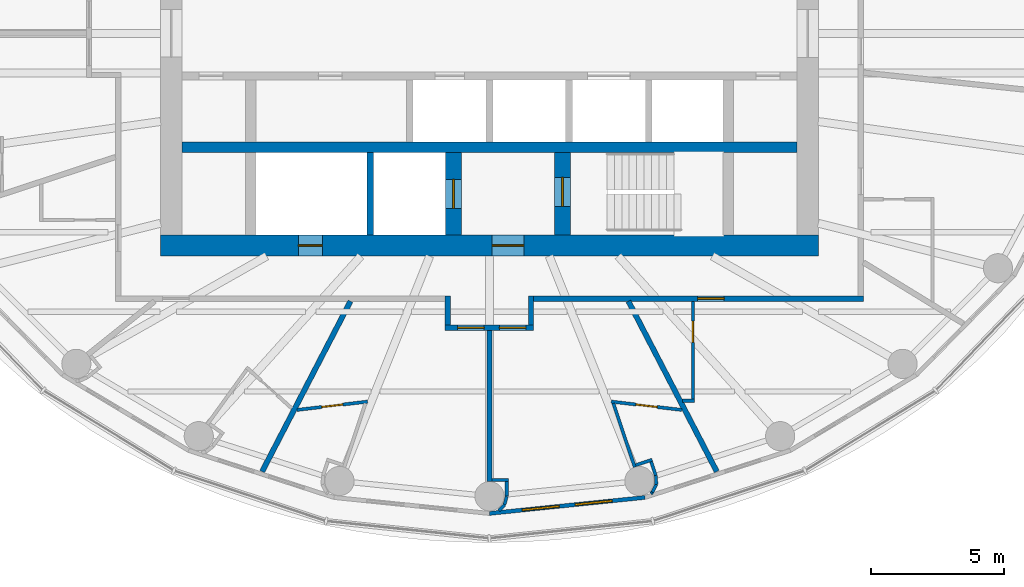
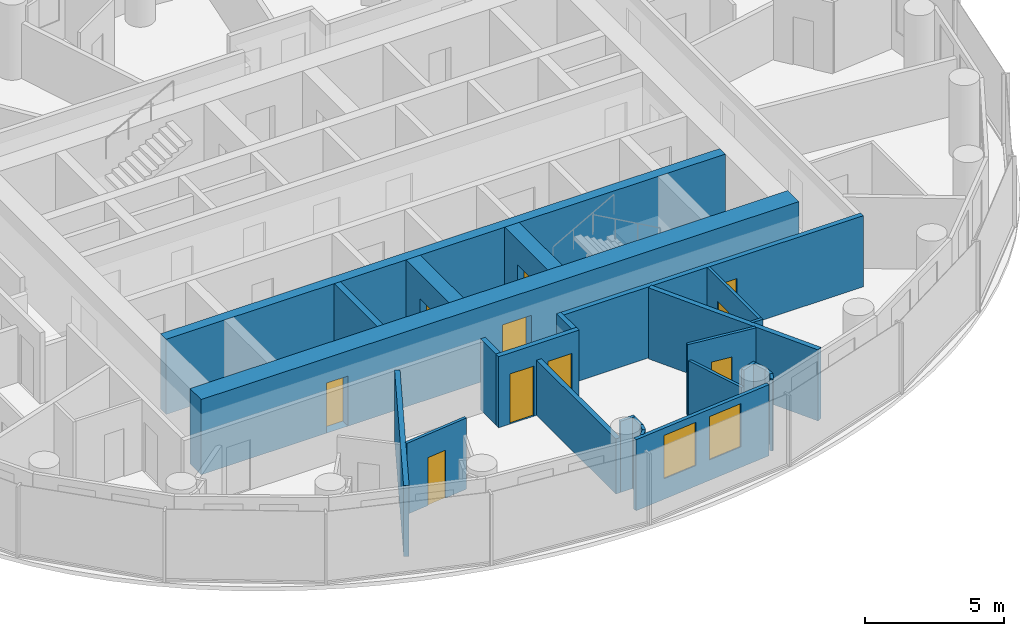
# One storey, part 7 of 13: 27 walls, 10 doors, 2 windows, 12 openings.
"""IFC4 building model written with IfcOpenShell, lengths in metres."""

from ifc_helpers import new_model, si_unit, direction, frame, frame_2d, origin, place, context, subcontext, project, spatial, rectangle, extrude, material, layer, layer_set, type_object, element, fill, save


model = new_model("IFC4")

# Units and contexts
model_context = context("Model", 3, precision=1e-05, world=origin(), true_north=direction((0.0, 1.0)))
body_context = subcontext(model_context, "Body", "Model", "MODEL_VIEW")
ifc_project = project(units=[si_unit("LENGTHUNIT", "METRE"), si_unit("AREAUNIT", "SQUARE_METRE"), si_unit("VOLUMEUNIT", "CUBIC_METRE"), si_unit("PLANEANGLEUNIT", "RADIAN"), si_unit("MASSUNIT", "GRAM", prefix="KILO")], contexts=[model_context])

# Site, building, storey
site_placement = place(None, origin())
site = spatial("IfcSite", under=ifc_project, at=site_placement, CompositionType="ELEMENT")
building_placement = place(site_placement, origin())
building = spatial("IfcBuilding", under=site, at=building_placement, Name="Hankou Lantern Tower", CompositionType="ELEMENT")
storey_placement = place(building_placement, frame((0.0, 0.0, 156.60009765625)))
storey = spatial("IfcBuildingStorey", under=building, at=storey_placement, Name="L41", CompositionType="ELEMENT", Elevation=156.60009765625)

# Wall, openings, doors
ifc_material_1 = material(Name="Concrete C60", Category="concrete")
ifc_layer_1 = layer(ifc_material_1, 0.800048828125)
ifc_layer_set_1 = layer_set([ifc_layer_1], Name="Concrete C60")
wall_type_1 = type_object("IfcWallType", Name="CW2 CORE WALL 800", PredefinedType="SHEAR", material=ifc_layer_set_1)
wall_1_placement = place(storey_placement, frame((12.39990234375, -8.0, 0.0), z_axis=(0.0, 0.0, 1.0), x_axis=(-1.0, 0.0, 0.0)))
wall_1 = element("IfcWall", 1, at=wall_1_placement, inside=storey, type_object=wall_type_1, Name="Core wall south L41", PredefinedType="SHEAR", context=body_context, shape_type="SweptSolid", body=[
    extrude(rectangle(XDim=24.7998046875, YDim=0.800048828125, at=frame_2d((12.39990234375, 0.0))), origin(), (0.0, 0.0, 1.0), 3.2998046875),
])
opening_1_placement = place(wall_1_placement, frame((11.10009765625, 0.0, 0.0)))
opening_1 = element("IfcOpeningElement", 2, at=opening_1_placement, cuts=wall_1, Name="Opening D5", PredefinedType="OPENING", context=body_context, shape_type="SweptSolid", body=[
    extrude(rectangle(XDim=1.199951171875, YDim=2.199951171875, at=frame_2d((0.60009765625, 1.10009765625))), frame((0.0, 0.409912109375, 0.0), z_axis=(0.0, -1.0, 0.0), x_axis=(1.0, 0.0, 0.0)), (0.0, 0.0, 1.0), 0.820068359375),
])
opening_2_placement = place(wall_1_placement, frame((18.699951171875, 0.0, 0.0)))
opening_2 = element("IfcOpeningElement", 3, at=opening_2_placement, cuts=wall_1, Name="Opening D7", PredefinedType="OPENING", context=body_context, shape_type="SweptSolid", body=[
    extrude(rectangle(XDim=0.89990234375, YDim=2.199951171875, at=frame_2d((0.449951171875, 1.10009765625))), frame((0.0, 0.409912109375, 0.0), z_axis=(0.0, -1.0, 0.0), x_axis=(1.0, 0.0, 0.0)), (0.0, 0.0, 1.0), 0.820068359375),
])
ifc_material_2 = material(Name="Steel door leaf", Category="steel")
door_type_1 = type_object("IfcDoorType", Name="D5 STAIR LOBBY DOOR 1200X2200", OperationType="SINGLE_SWING_LEFT", PredefinedType="DOOR", material=ifc_material_2)
door_1_placement = place(opening_1_placement, origin())
door_1 = element("IfcDoor", 4, at=door_1_placement, inside=storey, type_object=door_type_1, Name="Stair B lobby door", OperationType="SINGLE_SWING_LEFT", OverallHeight=2.199951171875, OverallWidth=1.199951171875, PredefinedType="DOOR", context=body_context, shape_type="SweptSolid", body=[
    extrude(rectangle(XDim=1.199951171875, YDim=2.199951171875, at=frame_2d((0.60009765625, 1.10009765625))), frame((0.0, 0.02490234375, 0.0), z_axis=(0.0, -1.0, 0.0), x_axis=(1.0, 0.0, 0.0)), (0.0, 0.0, 1.0), 0.050048828125),
])
fill(opening_1, door_1)
ifc_material_3 = material(Name="Steel door leaf", Category="steel")
door_type_2 = type_object("IfcDoorType", Name="D7 RISER DOOR 900X2200", OperationType="SINGLE_SWING_LEFT", PredefinedType="DOOR", material=ifc_material_3)
door_2_placement = place(opening_2_placement, origin())
door_2 = element("IfcDoor", 5, at=door_2_placement, inside=storey, type_object=door_type_2, Name="Riser S1 door", OperationType="SINGLE_SWING_RIGHT", OverallHeight=2.199951171875, OverallWidth=0.89990234375, PredefinedType="DOOR", context=body_context, shape_type="SweptSolid", body=[
    extrude(rectangle(XDim=0.89990234375, YDim=2.199951171875, at=frame_2d((0.449951171875, 1.10009765625))), frame((0.0, 0.02490234375, 0.0), z_axis=(0.0, -1.0, 0.0), x_axis=(1.0, 0.0, 0.0)), (0.0, 0.0, 1.0), 0.050048828125),
])
fill(opening_2, door_2)

# Wall
ifc_material_4 = material(Name="Concrete C60", Category="concrete")
ifc_layer_2 = layer(ifc_material_4, 0.39990234375)
ifc_layer_set_2 = layer_set([ifc_layer_2], Name="Concrete C60")
wall_type_2 = type_object("IfcWallType", Name="CW4 CORE CROSS WALL 400", PredefinedType="SHEAR", material=ifc_layer_set_2)
wall_2_placement = place(storey_placement, frame((-11.60009765625, -4.300048828125, 0.0), z_axis=(0.0, 0.0, 1.0), x_axis=(1.0, 0.0, 0.0)))
element("IfcWall", 6, at=wall_2_placement, inside=storey, type_object=wall_type_2, Name="Core band wall south L41", PredefinedType="SHEAR", context=body_context, shape_type="SweptSolid", body=[
    extrude(rectangle(XDim=23.2001953125, YDim=0.39990234375, at=frame_2d((11.60009765625, 0.0))), origin(), (0.0, 0.0, 1.0), 3.2998046875),
])

# Wall, opening, door
ifc_material_5 = material(Name="Concrete C60", Category="concrete")
ifc_layer_3 = layer(ifc_material_5, 0.60009765625)
ifc_layer_set_3 = layer_set([ifc_layer_3], Name="Concrete C60")
wall_type_3 = type_object("IfcWallType", Name="CW6 STAIR AND SHAFT WALL 600", PredefinedType="SHEAR", material=ifc_layer_set_3)
wall_3_placement = place(storey_placement, frame((2.75, -7.60009765625, 0.0), z_axis=(0.0, 0.0, 1.0), x_axis=(0.0, 1.0, 0.0)))
wall_3 = element("IfcWall", 7, at=wall_3_placement, inside=storey, type_object=wall_type_3, Name="Stair wall L41", PredefinedType="SHEAR", context=body_context, shape_type="SweptSolid", body=[
    extrude(rectangle(XDim=3.10009765625, YDim=0.60009765625, at=frame_2d((1.550048828125, 0.0))), origin(), (0.0, 0.0, 1.0), 3.2998046875),
])
opening_3_placement = place(wall_3_placement, frame((1.074951171875, 0.0, 0.0)))
opening_3 = element("IfcOpeningElement", 8, at=opening_3_placement, cuts=wall_3, Name="Opening D4", PredefinedType="OPENING", context=body_context, shape_type="SweptSolid", body=[
    extrude(rectangle(XDim=1.10009765625, YDim=2.199951171875, at=frame_2d((0.550048828125, 1.10009765625))), frame((0.0, 0.31005859375, 0.0), z_axis=(0.0, -1.0, 0.0), x_axis=(1.0, 0.0, 0.0)), (0.0, 0.0, 1.0), 0.6201171875),
])
ifc_material_6 = material(Name="Steel door leaf", Category="steel")
door_type_3 = type_object("IfcDoorType", Name="D4 STAIR DOOR 1100X2200", OperationType="SINGLE_SWING_LEFT", PredefinedType="DOOR", material=ifc_material_6)
door_3_placement = place(opening_3_placement, origin())
door_3 = element("IfcDoor", 9, at=door_3_placement, inside=storey, type_object=door_type_3, Name="Stair B door", OperationType="SINGLE_SWING_RIGHT", OverallHeight=2.199951171875, OverallWidth=1.10009765625, PredefinedType="DOOR", context=body_context, shape_type="SweptSolid", body=[
    extrude(rectangle(XDim=1.10009765625, YDim=2.199951171875, at=frame_2d((0.550048828125, 1.10009765625))), frame((0.0, 0.02490234375, 0.0), z_axis=(0.0, -1.0, 0.0), x_axis=(1.0, 0.0, 0.0)), (0.0, 0.0, 1.0), 0.050048828125),
])
fill(opening_3, door_3)

wall_4_placement = place(storey_placement, frame((-1.35009765625, -7.60009765625, 0.0), z_axis=(0.0, 0.0, 1.0), x_axis=(0.0, 1.0, 0.0)))
wall_4 = element("IfcWall", 10, at=wall_4_placement, inside=storey, type_object=wall_type_3, Name="Firefighting lift shaft wall L41", PredefinedType="SHEAR", context=body_context, shape_type="SweptSolid", body=[
    extrude(rectangle(XDim=3.10009765625, YDim=0.60009765625, at=frame_2d((1.550048828125, 0.0))), origin(), (0.0, 0.0, 1.0), 3.2998046875),
])
opening_4_placement = place(wall_4_placement, frame((1.0, 0.0, 0.0)))
opening_4 = element("IfcOpeningElement", 11, at=opening_4_placement, cuts=wall_4, Name="Opening LD2", PredefinedType="OPENING", context=body_context, shape_type="SweptSolid", body=[
    extrude(rectangle(XDim=1.10009765625, YDim=2.199951171875, at=frame_2d((0.550048828125, 1.10009765625))), frame((0.0, 0.31005859375, 0.0), z_axis=(0.0, -1.0, 0.0), x_axis=(1.0, 0.0, 0.0)), (0.0, 0.0, 1.0), 0.6201171875),
])
ifc_material_7 = material(Name="Steel door leaf", Category="steel")
door_type_4 = type_object("IfcDoorType", Name="LD2 FIREFIGHTING LIFT LANDING DOOR 1100X2200", OperationType="DOUBLE_DOOR_SLIDING", PredefinedType="DOOR", material=ifc_material_7)
door_4_placement = place(opening_4_placement, origin())
door_4 = element("IfcDoor", 12, at=door_4_placement, inside=storey, type_object=door_type_4, Name="Firefighting lift FL2 landing door", OperationType="DOUBLE_DOOR_SLIDING", OverallHeight=2.199951171875, OverallWidth=1.10009765625, PredefinedType="DOOR", context=body_context, shape_type="SweptSolid", body=[
    extrude(rectangle(XDim=1.10009765625, YDim=2.199951171875, at=frame_2d((0.550048828125, 1.10009765625))), frame((0.0, 0.02490234375, 0.0), z_axis=(0.0, -1.0, 0.0), x_axis=(1.0, 0.0, 0.0)), (0.0, 0.0, 1.0), 0.050048828125),
])
fill(opening_4, door_4)

# Wall, openings, windows
ifc_material_8 = material(Name="Aluminium spandrel panel on steel studs", Category="steel")
ifc_layer_4 = layer(ifc_material_8, 0.14990234375)
ifc_layer_set_4 = layer_set([ifc_layer_4], Name="Aluminium spandrel panel on steel studs")
wall_type_4 = type_object("IfcWallType", Name="EW1 INNER SKIN WALL 150", PredefinedType="ELEMENTEDWALL", material=ifc_layer_set_4)
wall_5_placement = place(storey_placement, frame((0.0, -18.10009765625, 0.0), z_axis=(0.0, 0.0, 1.0), x_axis=(0.994751738032, 0.102318032045, 0.0)))
wall_5 = element("IfcWall", 13, at=wall_5_placement, inside=storey, type_object=wall_type_4, Name="Inner skin R19-R20 L41", PredefinedType="ELEMENTEDWALL", context=body_context, shape_type="SweptSolid", body=[
    extrude(rectangle(XDim=5.891357421875, YDim=0.14990234375, at=frame_2d((2.94580078125, 0.0))), origin(), (0.0, 0.0, 1.0), 3.119873046875),
])
opening_5_placement = place(wall_5_placement, frame((1.24560546875, 0.0, 0.89990234375)))
opening_5 = element("IfcOpeningElement", 14, at=opening_5_placement, cuts=wall_5, Name="Opening W3", PredefinedType="OPENING", context=body_context, shape_type="SweptSolid", body=[
    extrude(rectangle(XDim=1.39990234375, YDim=1.89990234375, at=frame_2d((0.699951171875, 0.949951171875))), frame((0.0, 0.0849609375, 0.0), z_axis=(0.0, -1.0, 0.0), x_axis=(1.0, 0.0, 0.0)), (0.0, 0.0, 1.0), 0.169921875),
])
opening_6_placement = place(wall_5_placement, frame((3.24560546875, 0.0, 0.89990234375)))
opening_6 = element("IfcOpeningElement", 15, at=opening_6_placement, cuts=wall_5, Name="Opening W3", PredefinedType="OPENING", context=body_context, shape_type="SweptSolid", body=[
    extrude(rectangle(XDim=1.39990234375, YDim=1.89990234375, at=frame_2d((0.699951171875, 0.949951171875))), frame((0.0, 0.0849609375, 0.0), z_axis=(0.0, -1.0, 0.0), x_axis=(1.0, 0.0, 0.0)), (0.0, 0.0, 1.0), 0.169921875),
])
ifc_material_9 = material(Name="Aluminium framed double glazed window", Category="aluminium")
window_type = type_object("IfcWindowType", Name="W3 GUEST ROOM WINDOW 1400X1900", PartitioningType="DOUBLE_PANEL_VERTICAL", PredefinedType="WINDOW", material=ifc_material_9)
window_1_placement = place(opening_5_placement, origin())
window_1 = element("IfcWindow", 16, at=window_1_placement, inside=storey, type_object=window_type, Name="Window R19.1 L41", OverallHeight=1.89990234375, OverallWidth=1.39990234375, PartitioningType="SINGLE_PANEL", PredefinedType="WINDOW", context=body_context, shape_type="SweptSolid", body=[
    extrude(rectangle(XDim=1.39990234375, YDim=1.89990234375, at=frame_2d((0.699951171875, 0.949951171875))), frame((0.0, 0.030029296875, 0.0), z_axis=(0.0, -1.0, 0.0), x_axis=(1.0, 0.0, 0.0)), (0.0, 0.0, 1.0), 0.06005859375),
])
fill(opening_5, window_1)
window_2_placement = place(opening_6_placement, origin())
window_2 = element("IfcWindow", 17, at=window_2_placement, inside=storey, type_object=window_type, Name="Window R19.2 L41", OverallHeight=1.89990234375, OverallWidth=1.39990234375, PartitioningType="SINGLE_PANEL", PredefinedType="WINDOW", context=body_context, shape_type="SweptSolid", body=[
    extrude(rectangle(XDim=1.39990234375, YDim=1.89990234375, at=frame_2d((0.699951171875, 0.949951171875))), frame((0.0, 0.030029296875, 0.0), z_axis=(0.0, -1.0, 0.0), x_axis=(1.0, 0.0, 0.0)), (0.0, 0.0, 1.0), 0.06005859375),
])
fill(opening_6, window_2)

# Walls
ifc_material_10 = material(Name="Masonry lightweight concrete block", Category="masonry")
ifc_layer_5 = layer(ifc_material_10, 0.199951171875)
ifc_layer_set_5 = layer_set([ifc_layer_5], Name="Masonry lightweight concrete block")
wall_type_5 = type_object("IfcWallType", Name="IW1 GUEST ROOM PARTY WALL 200", PredefinedType="PARTITIONING", material=ifc_layer_set_5)
wall_6_placement = place(storey_placement, frame((-5.239990234375, -10.10009765625, 0.0), z_axis=(0.0, 0.0, 1.0), x_axis=(-0.460532965373, -0.887642601391, 0.0)))
element("IfcWall", 18, at=wall_6_placement, inside=storey, type_object=wall_type_5, Name="Party wall R17-R18", PredefinedType="PARTITIONING", context=body_context, shape_type="SweptSolid", body=[
    extrude(rectangle(XDim=7.2314453125, YDim=0.199951171875, at=frame_2d((3.61572265625, 0.0))), origin(), (0.0, 0.0, 1.0), 3.119873046875),
])
wall_7_placement = place(storey_placement, frame((0.0, -11.199951171875, 0.0), z_axis=(0.0, 0.0, 1.0), x_axis=(0.0, -1.0, 0.0)))
element("IfcWall", 19, at=wall_7_placement, inside=storey, type_object=wall_type_5, Name="Party wall R19", PredefinedType="PARTITIONING", context=body_context, shape_type="SweptSolid", body=[
    extrude(rectangle(XDim=5.699951171875, YDim=0.199951171875, at=frame_2d((2.85009765625, 0.0))), origin(), (0.0, 0.0, 1.0), 2.419921875),
])
wall_8_placement = place(storey_placement, frame((5.239990234375, -10.10009765625, 0.0), z_axis=(0.0, 0.0, 1.0), x_axis=(0.460532965373, -0.887642601391, 0.0)))
element("IfcWall", 20, at=wall_8_placement, inside=storey, type_object=wall_type_5, Name="Party wall R20-R21", PredefinedType="PARTITIONING", context=body_context, shape_type="SweptSolid", body=[
    extrude(rectangle(XDim=7.2314453125, YDim=0.199951171875, at=frame_2d((3.61572265625, 0.0))), origin(), (0.0, 0.0, 1.0), 3.119873046875),
])

# Wall, openings, doors
ifc_material_11 = material(Name="Masonry lightweight concrete block", Category="masonry")
ifc_layer_6 = layer(ifc_material_11, 0.199951171875)
ifc_layer_set_6 = layer_set([ifc_layer_6], Name="Masonry lightweight concrete block")
wall_type_6 = type_object("IfcWallType", Name="IW2 CORRIDOR WALL 200", PredefinedType="PARTITIONING", material=ifc_layer_set_6)
wall_9_placement = place(storey_placement, frame((1.669921875, -11.10009765625, 0.0), z_axis=(0.0, 0.0, 1.0), x_axis=(-1.0, 0.0, 0.0)))
wall_9 = element("IfcWall", 21, at=wall_9_placement, inside=storey, type_object=wall_type_6, Name="Corridor alcove wall 4107-4108 back", PredefinedType="PARTITIONING", context=body_context, shape_type="SweptSolid", body=[
    extrude(rectangle(XDim=3.33984375, YDim=0.199951171875, at=frame_2d((1.669921875, 0.0))), origin(), (0.0, 0.0, 1.0), 3.119873046875),
])
opening_7_placement = place(wall_9_placement, frame((1.8701171875, 0.0, 0.0)))
opening_7 = element("IfcOpeningElement", 22, at=opening_7_placement, cuts=wall_9, Name="Opening D1", PredefinedType="OPENING", context=body_context, shape_type="SweptSolid", body=[
    extrude(rectangle(XDim=1.0, YDim=2.199951171875, at=frame_2d((0.5, 1.10009765625))), frame((0.0, 0.10986328125, 0.0), z_axis=(0.0, -1.0, 0.0), x_axis=(1.0, 0.0, 0.0)), (0.0, 0.0, 1.0), 0.219970703125),
])
opening_8_placement = place(wall_9_placement, frame((0.300048828125, 0.0, 0.0)))
opening_8 = element("IfcOpeningElement", 23, at=opening_8_placement, cuts=wall_9, Name="Opening D1", PredefinedType="OPENING", context=body_context, shape_type="SweptSolid", body=[
    extrude(rectangle(XDim=1.0, YDim=2.199951171875, at=frame_2d((0.5, 1.10009765625))), frame((0.0, 0.10986328125, 0.0), z_axis=(0.0, -1.0, 0.0), x_axis=(1.0, 0.0, 0.0)), (0.0, 0.0, 1.0), 0.219970703125),
])
ifc_material_12 = material(Name="Steel door leaf", Category="steel")
door_type_5 = type_object("IfcDoorType", Name="D1 GUEST ROOM DOOR 1000X2200", OperationType="SINGLE_SWING_LEFT", PredefinedType="DOOR", material=ifc_material_12)
door_5_placement = place(opening_7_placement, origin())
door_5 = element("IfcDoor", 24, at=door_5_placement, inside=storey, type_object=door_type_5, Name="Guest room door 4107", OperationType="SINGLE_SWING_LEFT", OverallHeight=2.199951171875, OverallWidth=1.0, PredefinedType="DOOR", context=body_context, shape_type="SweptSolid", body=[
    extrude(rectangle(XDim=1.0, YDim=2.199951171875, at=frame_2d((0.5, 1.10009765625))), frame((0.0, 0.02490234375, 0.0), z_axis=(0.0, -1.0, 0.0), x_axis=(1.0, 0.0, 0.0)), (0.0, 0.0, 1.0), 0.050048828125),
])
fill(opening_7, door_5)
door_6_placement = place(opening_8_placement, origin())
door_6 = element("IfcDoor", 25, at=door_6_placement, inside=storey, type_object=door_type_5, Name="Guest room door 4108", OperationType="SINGLE_SWING_RIGHT", OverallHeight=2.199951171875, OverallWidth=1.0, PredefinedType="DOOR", context=body_context, shape_type="SweptSolid", body=[
    extrude(rectangle(XDim=1.0, YDim=2.199951171875, at=frame_2d((0.5, 1.10009765625))), frame((0.0, 0.02490234375, 0.0), z_axis=(0.0, -1.0, 0.0), x_axis=(1.0, 0.0, 0.0)), (0.0, 0.0, 1.0), 0.050048828125),
])
fill(opening_8, door_6)

# Walls
for number, where, z_axis, x_axis, name in (
    (26, (1.570068359375, -9.89990234375, 0.0), (0.0, 0.0, 1.0), (0.0, -1.0, 0.0), "Corridor alcove wall 4107-4108 left"),
    (27, (-1.570068359375, -9.89990234375, 0.0), (0.0, 0.0, 1.0), (0.0, -1.0, 0.0), "Corridor alcove wall 4107-4108 right"),
):
    element("IfcWall", number, at=place(storey_placement, frame(where, z_axis=z_axis, x_axis=x_axis)), inside=storey, type_object=wall_type_6, Name=name, PredefinedType="PARTITIONING", context=body_context, shape_type="SweptSolid", body=[
        extrude(rectangle(XDim=1.10009765625, YDim=0.199951171875, at=frame_2d((0.550048828125, 0.0))), origin(), (0.0, 0.0, 1.0), 3.119873046875),
    ])

# Wall, opening, door
wall_10_placement = place(storey_placement, frame((14.10009765625, -10.0, 0.0), z_axis=(0.0, 0.0, 1.0), x_axis=(-1.0, 0.0, 0.0)))
wall_10 = element("IfcWall", 28, at=wall_10_placement, inside=storey, type_object=wall_type_6, Name="Corridor wall south", PredefinedType="PARTITIONING", context=body_context, shape_type="SweptSolid", body=[
    extrude(rectangle(XDim=12.43017578125, YDim=0.199951171875, at=frame_2d((6.215087890625, 0.0))), origin(), (0.0, 0.0, 1.0), 3.119873046875),
])
opening_9_placement = place(wall_10_placement, frame((5.25, 0.0, 0.0)))
opening_9 = element("IfcOpeningElement", 29, at=opening_9_placement, cuts=wall_10, Name="Opening D2", PredefinedType="OPENING", context=body_context, shape_type="SweptSolid", body=[
    extrude(rectangle(XDim=1.0, YDim=2.199951171875, at=frame_2d((0.5, 1.10009765625))), frame((0.0, 0.10986328125, 0.0), z_axis=(0.0, -1.0, 0.0), x_axis=(1.0, 0.0, 0.0)), (0.0, 0.0, 1.0), 0.219970703125),
])
ifc_material_13 = material(Name="Steel door leaf", Category="steel")
door_type_6 = type_object("IfcDoorType", Name="D2 SUITE DOOR 1000X2200", OperationType="SINGLE_SWING_LEFT", PredefinedType="DOOR", material=ifc_material_13)
door_7_placement = place(opening_9_placement, origin())
door_7 = element("IfcDoor", 30, at=door_7_placement, inside=storey, type_object=door_type_6, Name="Suite door 4109", OperationType="SINGLE_SWING_RIGHT", OverallHeight=2.199951171875, OverallWidth=1.0, PredefinedType="DOOR", context=body_context, shape_type="SweptSolid", body=[
    extrude(rectangle(XDim=1.0, YDim=2.199951171875, at=frame_2d((0.5, 1.10009765625))), frame((0.0, 0.02490234375, 0.0), z_axis=(0.0, -1.0, 0.0), x_axis=(1.0, 0.0, 0.0)), (0.0, 0.0, 1.0), 0.050048828125),
])
fill(opening_9, door_7)

ifc_material_14 = material(Name="Masonry lightweight concrete block", Category="masonry")
ifc_layer_7 = layer(ifc_material_14, 0.1201171875)
ifc_layer_set_7 = layer_set([ifc_layer_7], Name="Masonry lightweight concrete block")
wall_type_7 = type_object("IfcWallType", Name="IW3 BATHROOM WALL 120", PredefinedType="PARTITIONING", material=ifc_layer_set_7)
wall_11_placement = place(storey_placement, frame((-7.2529296875, -14.197021484375, 0.0), z_axis=(0.0, 0.0, 1.0), x_axis=(0.993128188393, 0.117031625725, 0.0)))
wall_11 = element("IfcWall", 31, at=wall_11_placement, inside=storey, type_object=wall_type_7, Name="Box wall 4107 1", PredefinedType="PARTITIONING", context=body_context, shape_type="SweptSolid", body=[
    extrude(rectangle(XDim=2.678466796875, YDim=0.1201171875, at=frame_2d((1.33935546875, 0.0))), origin(), (0.0, 0.0, 1.0), 3.119873046875),
])
opening_10_placement = place(wall_11_placement, frame((0.939208984375, 0.0, 0.0)))
opening_10 = element("IfcOpeningElement", 32, at=opening_10_placement, cuts=wall_11, Name="Opening D3", PredefinedType="OPENING", context=body_context, shape_type="SweptSolid", body=[
    extrude(rectangle(XDim=0.800048828125, YDim=2.10009765625, at=frame_2d((0.39990234375, 1.050048828125))), frame((0.0, 0.070068359375, 0.0), z_axis=(0.0, -1.0, 0.0), x_axis=(1.0, 0.0, 0.0)), (0.0, 0.0, 1.0), 0.14013671875),
])
ifc_material_15 = material(Name="Timber door leaf", Category="wood")
door_type_7 = type_object("IfcDoorType", Name="D3 BATHROOM DOOR 800X2100", OperationType="SINGLE_SWING_LEFT", PredefinedType="DOOR", material=ifc_material_15)
door_8_placement = place(opening_10_placement, origin())
door_8 = element("IfcDoor", 33, at=door_8_placement, inside=storey, type_object=door_type_7, Name="En-suite bathroom 4107 door", OperationType="SINGLE_SWING_LEFT", OverallHeight=2.10009765625, OverallWidth=0.800048828125, PredefinedType="DOOR", context=body_context, shape_type="SweptSolid", body=[
    extrude(rectangle(XDim=0.800048828125, YDim=2.10009765625, at=frame_2d((0.39990234375, 1.050048828125))), frame((0.0, 0.02490234375, 0.0), z_axis=(0.0, -1.0, 0.0), x_axis=(1.0, 0.0, 0.0)), (0.0, 0.0, 1.0), 0.050048828125),
])
fill(opening_10, door_8)

wall_12_placement = place(storey_placement, frame((7.2529296875, -14.197021484375, 0.0), z_axis=(0.0, 0.0, 1.0), x_axis=(-0.993128188393, 0.117031625725, 0.0)))
wall_12 = element("IfcWall", 34, at=wall_12_placement, inside=storey, type_object=wall_type_7, Name="Box wall 4108 1", PredefinedType="PARTITIONING", context=body_context, shape_type="SweptSolid", body=[
    extrude(rectangle(XDim=2.678466796875, YDim=0.1201171875, at=frame_2d((1.33935546875, 0.0))), origin(), (0.0, 0.0, 1.0), 3.119873046875),
])
opening_11_placement = place(wall_12_placement, frame((0.939208984375, 0.0, 0.0)))
opening_11 = element("IfcOpeningElement", 35, at=opening_11_placement, cuts=wall_12, Name="Opening D3", PredefinedType="OPENING", context=body_context, shape_type="SweptSolid", body=[
    extrude(rectangle(XDim=0.800048828125, YDim=2.10009765625, at=frame_2d((0.39990234375, 1.050048828125))), frame((0.0, 0.070068359375, 0.0), z_axis=(0.0, -1.0, 0.0), x_axis=(1.0, 0.0, 0.0)), (0.0, 0.0, 1.0), 0.14013671875),
])
door_9_placement = place(opening_11_placement, origin())
door_9 = element("IfcDoor", 36, at=door_9_placement, inside=storey, type_object=door_type_7, Name="En-suite bathroom 4108 door", OperationType="SINGLE_SWING_RIGHT", OverallHeight=2.10009765625, OverallWidth=0.800048828125, PredefinedType="DOOR", context=body_context, shape_type="SweptSolid", body=[
    extrude(rectangle(XDim=0.800048828125, YDim=2.10009765625, at=frame_2d((0.39990234375, 1.050048828125))), frame((0.0, 0.02490234375, 0.0), z_axis=(0.0, -1.0, 0.0), x_axis=(1.0, 0.0, 0.0)), (0.0, 0.0, 1.0), 0.050048828125),
])
fill(opening_11, door_9)

# Walls
wall_13_placement = place(storey_placement, frame((4.67138671875, -13.947509765625, 0.0), z_axis=(0.0, 0.0, 1.0), x_axis=(0.317669167093, -0.948201613729, 0.0)))
element("IfcWall", 37, at=wall_13_placement, inside=storey, type_object=wall_type_7, Name="Box wall 4108 2", PredefinedType="PARTITIONING", context=body_context, shape_type="SweptSolid", body=[
    extrude(rectangle(XDim=2.5400390625, YDim=0.1201171875, at=frame_2d((1.27001953125, 0.0))), origin(), (0.0, 0.0, 1.0), 2.419921875),
])
wall_14_placement = place(storey_placement, frame((5.51611328125, -16.280029296875, 0.0), z_axis=(0.0, 0.0, 1.0), x_axis=(0.948157944392, 0.317799484717, 0.0)))
element("IfcWall", 38, at=wall_14_placement, inside=storey, type_object=wall_type_7, Name="Column casing 4108 return", PredefinedType="PARTITIONING", context=body_context, shape_type="SweptSolid", body=[
    extrude(rectangle(XDim=0.652099609375, YDim=0.1201171875, at=frame_2d((0.326171875, 0.0))), origin(), (0.0, 0.0, 1.0), 3.119873046875),
])
wall_15_placement = place(storey_placement, frame((6.0966796875, -16.148681640625, 0.0), z_axis=(0.0, 0.0, 1.0), x_axis=(0.317292604854, -0.948327687514, 0.0)))
element("IfcWall", 39, at=wall_15_placement, inside=storey, type_object=wall_type_7, Name="Column casing 4108", PredefinedType="PARTITIONING", context=body_context, shape_type="SweptSolid", body=[
    extrude(rectangle(XDim=0.550048828125, YDim=0.1201171875, at=frame_2d((0.27490234375, 0.0))), origin(), (0.0, 0.0, 1.0), 3.119873046875),
])
for number, where, z_axis, x_axis, name in (
    (40, (6.271240234375, -16.67041015625, 0.0), (0.0, 0.0, 1.0), (0.061477694849, -0.998108457552, 0.0), "Column casing 4108"),
    (41, (6.2919921875, -17.00732421875, 0.0), (0.0, 0.0, 1.0), (-0.445477128334, -0.895293319606, 0.0), "Column casing 4108"),
):
    element("IfcWall", number, at=place(storey_placement, frame(where, z_axis=z_axis, x_axis=x_axis)), inside=storey, type_object=wall_type_7, Name=name, PredefinedType="PARTITIONING", context=body_context, shape_type="SweptSolid", body=[
        extrude(rectangle(XDim=0.337646484375, YDim=0.1201171875, at=frame_2d((0.1689453125, 0.0))), origin(), (0.0, 0.0, 1.0), 3.119873046875),
    ])
wall_16_placement = place(storey_placement, frame((6.1416015625, -17.3095703125, 0.0), z_axis=(0.0, 0.0, 1.0), x_axis=(-0.835039693181, -0.550189704386, 0.0)))
element("IfcWall", 42, at=wall_16_placement, inside=storey, type_object=wall_type_7, Name="Column casing 4108", PredefinedType="PARTITIONING", context=body_context, shape_type="SweptSolid", body=[
    extrude(rectangle(XDim=0.0625, YDim=0.1201171875, at=frame_2d((0.03125, 0.0))), origin(), (0.0, 0.0, 1.0), 3.119873046875),
])
wall_17_placement = place(storey_placement, frame((7.28564453125, -13.85009765625, 0.0), z_axis=(0.0, 0.0, 1.0), x_axis=(1.0, 0.0, 0.0)))
element("IfcWall", 43, at=wall_17_placement, inside=storey, type_object=wall_type_7, Name="Box wall 4109 1", PredefinedType="PARTITIONING", context=body_context, shape_type="SweptSolid", body=[
    extrude(rectangle(XDim=0.4443359375, YDim=0.1201171875, at=frame_2d((0.22216796875, 0.0))), origin(), (0.0, 0.0, 1.0), 3.119873046875),
])

# Wall, opening, door
wall_18_placement = place(storey_placement, frame((7.670166015625, -10.10009765625, 0.0), z_axis=(0.0, 0.0, 1.0), x_axis=(0.0, -1.0, 0.0)))
wall_18 = element("IfcWall", 44, at=wall_18_placement, inside=storey, type_object=wall_type_7, Name="Box wall 4109 1", PredefinedType="PARTITIONING", context=body_context, shape_type="SweptSolid", body=[
    extrude(rectangle(XDim=3.68994140625, YDim=0.1201171875, at=frame_2d((1.844970703125, 0.0))), origin(), (0.0, 0.0, 1.0), 3.119873046875),
])
opening_12_placement = place(wall_18_placement, frame((0.75, 0.0, 0.0)))
opening_12 = element("IfcOpeningElement", 45, at=opening_12_placement, cuts=wall_18, Name="Opening D3", PredefinedType="OPENING", context=body_context, shape_type="SweptSolid", body=[
    extrude(rectangle(XDim=0.800048828125, YDim=2.10009765625, at=frame_2d((0.39990234375, 1.050048828125))), frame((0.0, 0.070068359375, 0.0), z_axis=(0.0, -1.0, 0.0), x_axis=(1.0, 0.0, 0.0)), (0.0, 0.0, 1.0), 0.14013671875),
])
door_10_placement = place(opening_12_placement, origin())
door_10 = element("IfcDoor", 46, at=door_10_placement, inside=storey, type_object=door_type_7, Name="Junior suite 4109 bathroom door", OperationType="SINGLE_SWING_LEFT", OverallHeight=2.10009765625, OverallWidth=0.800048828125, PredefinedType="DOOR", context=body_context, shape_type="SweptSolid", body=[
    extrude(rectangle(XDim=0.800048828125, YDim=2.10009765625, at=frame_2d((0.39990234375, 1.050048828125))), frame((0.0, 0.02490234375, 0.0), z_axis=(0.0, -1.0, 0.0), x_axis=(1.0, 0.0, 0.0)), (0.0, 0.0, 1.0), 0.050048828125),
])
fill(opening_12, door_10)

# Walls
ifc_material_16 = material(Name="Masonry lightweight concrete block", Category="masonry")
ifc_layer_8 = layer(ifc_material_16, 0.1201171875)
ifc_layer_set_8 = layer_set([ifc_layer_8], Name="Masonry lightweight concrete block")
wall_type_8 = type_object("IfcWallType", Name="IW4 PARTITION 120", PredefinedType="PARTITIONING", material=ifc_layer_set_8)
wall_19_placement = place(storey_placement, frame((0.10009765625, -16.840087890625, 0.0), z_axis=(0.0, 0.0, 1.0), x_axis=(1.0, 0.0, 0.0)))
element("IfcWall", 47, at=wall_19_placement, inside=storey, type_object=wall_type_8, Name="Column casing R19 return", PredefinedType="PARTITIONING", context=body_context, shape_type="SweptSolid", body=[
    extrude(rectangle(XDim=0.612060546875, YDim=0.1201171875, at=frame_2d((0.30615234375, 0.0))), origin(), (0.0, 0.0, 1.0), 3.119873046875),
])
wall_20_placement = place(storey_placement, frame((0.65234375, -16.89990234375, 0.0), z_axis=(0.0, 0.0, 1.0), x_axis=(0.0, -1.0, 0.0)))
element("IfcWall", 48, at=wall_20_placement, inside=storey, type_object=wall_type_8, Name="Column casing R19", PredefinedType="PARTITIONING", context=body_context, shape_type="SweptSolid", body=[
    extrude(rectangle(XDim=0.550048828125, YDim=0.1201171875, at=frame_2d((0.27490234375, 0.0))), origin(), (0.0, 0.0, 1.0), 3.119873046875),
])
wall_21_placement = place(storey_placement, frame((0.65234375, -17.449951171875, 0.0), z_axis=(0.0, 0.0, 1.0), x_axis=(-0.258832454679, -0.965922233104, 0.0)))
element("IfcWall", 49, at=wall_21_placement, inside=storey, type_object=wall_type_8, Name="Column casing R19", PredefinedType="PARTITIONING", context=body_context, shape_type="SweptSolid", body=[
    extrude(rectangle(XDim=0.337646484375, YDim=0.1201171875, at=frame_2d((0.1689453125, 0.0))), origin(), (0.0, 0.0, 1.0), 3.119873046875),
])
wall_22_placement = place(storey_placement, frame((0.56494140625, -17.776123046875, 0.0), z_axis=(0.0, 0.0, 1.0), x_axis=(-0.707106781187, -0.707106781187, 0.0)))
element("IfcWall", 50, at=wall_22_placement, inside=storey, type_object=wall_type_8, Name="Column casing R19", PredefinedType="PARTITIONING", context=body_context, shape_type="SweptSolid", body=[
    extrude(rectangle(XDim=0.30078125, YDim=0.1201171875, at=frame_2d((0.150390625, 0.0))), origin(), (0.0, 0.0, 1.0), 3.119873046875),
])
ifc_material_17 = material(Name="Masonry autoclaved aerated concrete block", Category="masonry")
ifc_layer_9 = layer(ifc_material_17, 0.25)
ifc_layer_set_9 = layer_set([ifc_layer_9], Name="Masonry autoclaved aerated concrete block")
wall_type_9 = type_object("IfcWallType", Name="SW1 SHAFT BLOCK WALL 250", PredefinedType="PARTITIONING", material=ifc_layer_set_9)
wall_23_placement = place(storey_placement, frame((-4.5, -7.60009765625, 0.0), z_axis=(0.0, 0.0, 1.0), x_axis=(0.0, 1.0, 0.0)))
element("IfcWall", 51, at=wall_23_placement, inside=storey, type_object=wall_type_9, Name="Riser wall L41", PredefinedType="PARTITIONING", context=body_context, shape_type="SweptSolid", body=[
    extrude(rectangle(XDim=3.10009765625, YDim=0.25, at=frame_2d((1.550048828125, 0.0))), origin(), (0.0, 0.0, 1.0), 3.2998046875),
])

save(model, "model.ifc")
